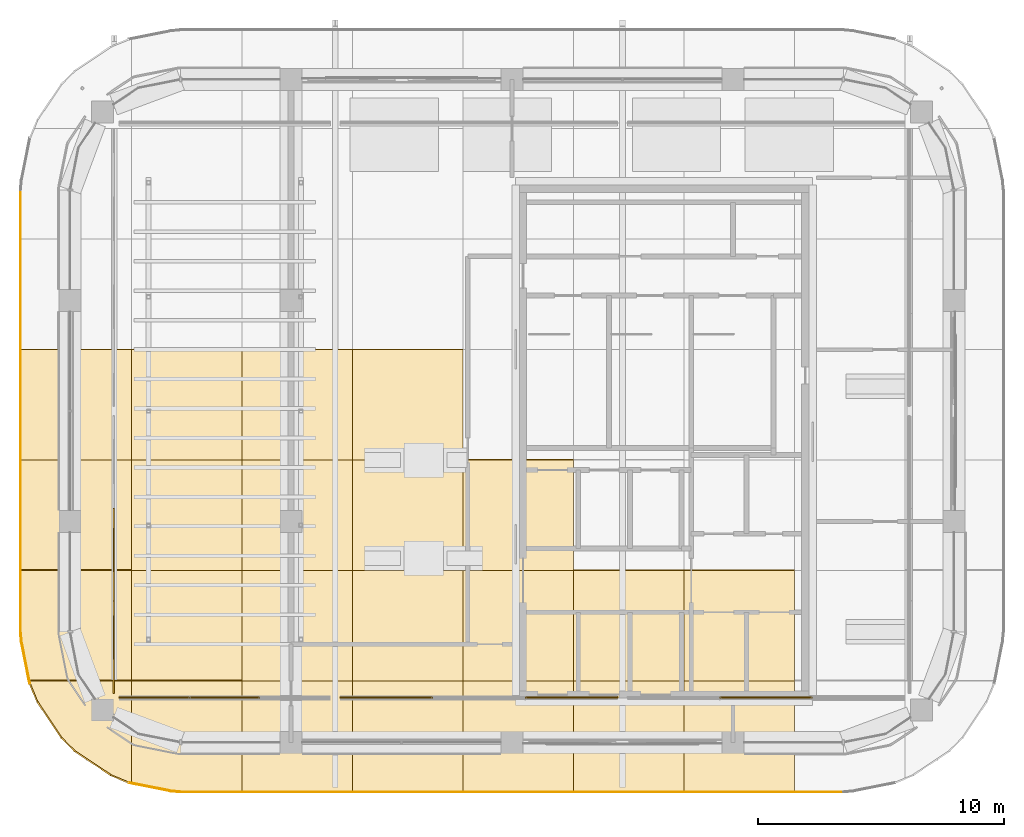
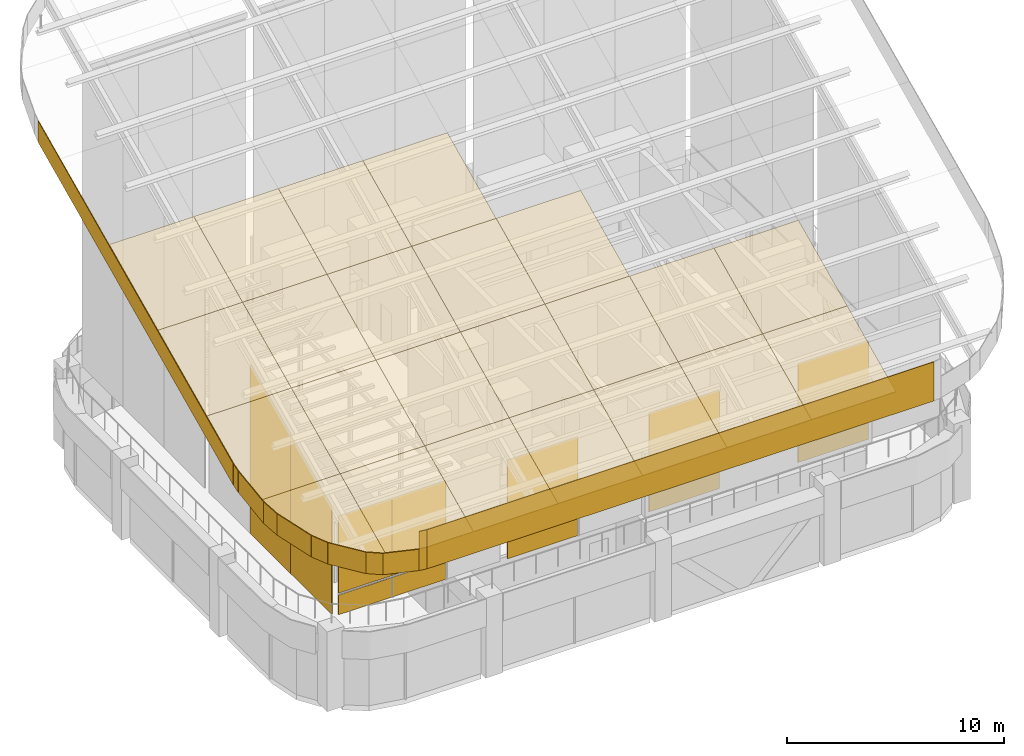
# One storey, part 28 of 31: 46 coverings.
"""IFC4 building model written with IfcOpenShell, lengths in metres."""

from ifc_helpers import new_model, si_unit, direction, frame, origin, place, context, subcontext, project, spatial, polyline, outline, extrude, material, layer, layer_set, type_object, element, save


model = new_model("IFC4")

# Units and contexts
model_context = context("Model", 3, precision=1e-05, world=origin(), true_north=direction((0.0, 1.0)))
body_context = subcontext(model_context, "Body", "Model", "MODEL_VIEW")
ifc_project = project(units=[si_unit("LENGTHUNIT", "METRE"), si_unit("AREAUNIT", "SQUARE_METRE"), si_unit("VOLUMEUNIT", "CUBIC_METRE"), si_unit("PLANEANGLEUNIT", "RADIAN"), si_unit("MASSUNIT", "GRAM", prefix="KILO")], contexts=[model_context])

# Site, building, storey
site_placement = place(None, origin())
site = spatial("IfcSite", under=ifc_project, at=site_placement, CompositionType="ELEMENT")
building_placement = place(site_placement, origin())
building = spatial("IfcBuilding", under=site, at=building_placement, Name="Tessera Arch", CompositionType="ELEMENT")
storey_placement = place(building_placement, frame((0.0, 0.0, 320.699951171875)))
storey = spatial("IfcBuildingStorey", under=building, at=storey_placement, Name="L77", CompositionType="ELEMENT", Elevation=320.699951171875)

# Coverings
ifc_material_1 = material(Name="Aluminium cladding pale metal anodised", Category="aluminium")
ifc_layer_1 = layer(ifc_material_1, 0.0400390625)
ifc_layer_set_1 = layer_set([ifc_layer_1], Name="Canopy fascia pale metal")
covering_type_1 = type_object("IfcCoveringType", Name="Canopy fascia pale metal", PredefinedType="CLADDING", material=ifc_layer_set_1)
covering_1_placement = place(storey_placement, frame((16.0, 49.5, 21.1689453125), z_axis=(1.0, 0.0, 0.0), x_axis=(0.0, -0.906312170564, -0.422608861109)))
element("IfcCovering", 1, at=covering_1_placement, inside=storey, type_object=covering_type_1, Name="CANOPY fascia 21", PredefinedType="CLADDING", context=body_context, shape_type="SweptSolid", body=[
    extrude(outline(polyline([(0.0, 0.0), (19.860706481298273, 0.0), (20.367919655421858, 1.087751618772618), (0.5071099981321051, 1.0875303511528505), (0.0, 0.0)])), origin(), (0.0, 0.0, -1.0), 0.0400390625),
])
covering_2_placement = place(storey_placement, frame((16.0, 31.5, 12.775634765625), z_axis=(0.99520834523, 0.097777040176, 0.0), x_axis=(0.088674118673, -0.902555679234, -0.421343264524)))
element("IfcCovering", 2, at=covering_2_placement, inside=storey, type_object=covering_type_1, Name="CANOPY fascia 22", PredefinedType="CLADDING", context=body_context, shape_type="SweptSolid", body=[
    extrude(outline(polyline([(0.0, 0.0), (0.4322577850055526, 0.0), (0.9378491290323403, 1.0882372019598359), (0.505694211034728, 1.0884586133946192), (0.0, 0.0)])), origin(), (0.0, 0.0, -1.0), 0.0400390625),
])
covering_3_placement = place(storey_placement, frame((16.038330078125, 31.10986328125, 12.593505859375), z_axis=(0.980762070993, 0.195206967348, 0.0), x_axis=(0.177525849176, -0.891928304905, -0.415870739273)))
element("IfcCovering", 3, at=covering_3_placement, inside=storey, type_object=covering_type_1, Name="CANOPY fascia 23", PredefinedType="CLADDING", context=body_context, shape_type="SweptSolid", body=[
    extrude(outline(polyline([(0.0, 0.0), (1.9308367716094998, 0.0), (2.4298613525488233, 1.091264075511752), (0.4990245809393234, 1.0912640755117518), (0.0, 0.0)])), origin(), (0.0, 0.0, -1.0), 0.0400390625),
])
covering_4_placement = place(storey_placement, frame((16.381103515625, 29.3876953125, 11.79052734375), z_axis=(0.923898629088, 0.382637325897, 0.0), x_axis=(0.35141259642, -0.848504821935, -0.395662424587)))
element("IfcCovering", 4, at=covering_4_placement, inside=storey, type_object=covering_type_1, Name="CANOPY fascia 24", PredefinedType="CLADDING", context=body_context, shape_type="SweptSolid", body=[
    extrude(outline(polyline([(0.0, 0.0), (0.8496678474737825, 0.0), (1.324443437523724, 1.1020303779737268), (0.4747755900499415, 1.102030377973727), (0.0, 0.0)])), origin(), (0.0, 0.0, -1.0), 0.0400390625),
])
covering_5_placement = place(storey_placement, frame((16.6796875, 28.666748046875, 11.454345703125), z_axis=(0.831515102434, 0.555502146192, 0.0), x_axis=(0.517919362424, -0.775258519974, -0.3615712395)))
element("IfcCovering", 5, at=covering_5_placement, inside=storey, type_object=covering_type_1, Name="CANOPY fascia 25", PredefinedType="CLADDING", context=body_context, shape_type="SweptSolid", body=[
    extrude(outline(polyline([(0.0, 0.0), (1.8831923801991524, 1.1102230246251565e-16), (2.3170602127531152, 1.1187678574034527), (0.4338678325539627, 1.1187678574034527), (0.0, 0.0)])), origin(), (0.0, 0.0, -1.0), 0.0400390625),
])
covering_6_placement = place(storey_placement, frame((17.655029296875, 27.206787109375, 10.7734375), z_axis=(0.707106781187, 0.707106781187, 0.0), x_axis=(0.671596364002, -0.671596364002, -0.31291635898)))
element("IfcCovering", 6, at=covering_6_placement, inside=storey, type_object=covering_type_1, Name="CANOPY fascia 26", PredefinedType="CLADDING", context=body_context, shape_type="SweptSolid", body=[
    extrude(outline(polyline([(0.0, 0.0), (0.8215616433830917, 0.0), (1.197122390635364, 1.1399223277356607), (0.3754843516568182, 1.139690447685267), (0.0, 0.0)])), origin(), (0.0, 0.0, -1.0), 0.0400390625),
])
covering_7_placement = place(storey_placement, frame((18.206787109375, 26.655029296875, 10.516357421875), z_axis=(0.555502146192, 0.831515102434, 0.0), x_axis=(0.80494515218, -0.537751819893, -0.250771374333)))
element("IfcCovering", 7, at=covering_7_placement, inside=storey, type_object=covering_type_1, Name="CANOPY fascia 27", PredefinedType="CLADDING", context=body_context, shape_type="SweptSolid", body=[
    extrude(outline(polyline([(0.0, 0.0), (1.8137396486540374, -5.551115123125783e-17), (2.1147142766375375, 1.1618446804358862), (0.3009746279835003, 1.161844680435886), (0.0, 0.0)])), origin(), (0.0, 0.0, -1.0), 0.0400390625),
])
covering_8_placement = place(storey_placement, frame((19.666748046875, 25.6796875, 10.0615234375), z_axis=(0.382637325897, 0.923898629088, 0.0), x_axis=(0.909499309313, -0.376673774226, -0.175863225743)))
element("IfcCovering", 8, at=covering_8_placement, inside=storey, type_object=covering_type_1, Name="CANOPY fascia 28", PredefinedType="CLADDING", context=body_context, shape_type="SweptSolid", body=[
    extrude(outline(polyline([(0.0, 0.0), (0.7926858857861844, 0.0), (1.0037131696057522, 1.1812494657640786), (0.21107021917741514, 1.1814898013624031), (0.0, 0.0)])), origin(), (0.0, 0.0, -1.0), 0.0400390625),
])
covering_9_placement = place(storey_placement, frame((20.3876953125, 25.381103515625, 9.922119140625), z_axis=(0.195206967348, 0.980762070993, 0.0), x_axis=(0.976732464869, -0.194404930632, -0.090556142901)))
element("IfcCovering", 9, at=covering_9_placement, inside=storey, type_object=covering_type_1, Name="CANOPY fascia 29", PredefinedType="CLADDING", context=body_context, shape_type="SweptSolid", body=[
    extrude(outline(polyline([(0.0, 0.0), (1.7631931267699572, 2.7755575615628914e-17), (1.8718560765646002, 1.1950209948892583), (0.10866294979464294, 1.1950209948892583), (0.0, 0.0)])), origin(), (0.0, 0.0, -1.0), 0.0400390625),
])
covering_10_placement = place(storey_placement, frame((22.10986328125, 25.038330078125, 10.762451171875), z_axis=(0.097777040176, 0.99520834523, 0.0), x_axis=(0.994181437068, -0.097676148698, -0.045416298439)))
element("IfcCovering", 10, at=covering_10_placement, inside=storey, type_object=covering_type_1, Name="CANOPY fascia 30", PredefinedType="CLADDING", context=body_context, shape_type="SweptSolid", body=[
    extrude(outline(polyline([(0.0, 0.0), (0.39242003944509934, 0.0), (0.4923447663823454, 2.1979250355945923), (0.09991363897375995, 2.1976811468866924), (0.0, 0.0)])), origin(), (0.0, 0.0, -1.0), 0.0400390625),
])
covering_11_placement = place(storey_placement, frame((22.5, 25.0, 10.74462890625), z_axis=(0.0, 1.0, 0.0), x_axis=(1.0, 0.0, 0.0)))
element("IfcCovering", 11, at=covering_11_placement, inside=storey, type_object=covering_type_1, Name="CANOPY fascia 31", PredefinedType="CLADDING", context=body_context, shape_type="SweptSolid", body=[
    extrude(outline(polyline([(0.0, 0.0), (27.0, 0.0), (27.0, 2.2001953125), (0.0, 2.2001953125), (0.0, 0.0)])), origin(), (0.0, 0.0, -1.0), 0.0400390625),
])
ifc_material_2 = material(Name="Aluminium cladding pale metal anodised", Category="aluminium")
ifc_layer_2 = layer(ifc_material_2, 0.080078125)
ifc_layer_set_2 = layer_set([ifc_layer_2], Name="Canopy panel pale metal")
covering_type_2 = type_object("IfcCoveringType", Name="Canopy panel pale metal", PredefinedType="CLADDING", material=ifc_layer_set_2)
covering_12_placement = place(storey_placement, frame((20.5, 25.358642578125, 9.911865234375), z_axis=(-7.04258e-07, -0.422581940109, 0.906324723206), x_axis=(-5e-12, 0.906324723206, 0.422581940109)))
element("IfcCovering", 12, at=covering_12_placement, inside=storey, type_object=covering_type_2, Name="CANOPY panel 1-1", PredefinedType="CLADDING", context=body_context, shape_type="SweptSolid", body=[
    extrude(outline(polyline([(0.0, 0.0), (4.569381553725276, -2.117582368135751e-22), (4.5693815537463465, 4.141357421873973), (4.445518783273112, 4.118896484299953), (3.6500421623838384, 3.8203124999505107), (2.0391039602955, 2.844970703204245), (1.430394815424665, 2.2932128905913776), (0.35421380378895273, 0.8332519531433135), (0.02469001856001812, 0.1123046876394429), (0.0, 0.0)])), origin(), (0.0, 0.0, -1.0), 0.080078125),
])
covering_13_placement = place(storey_placement, frame((16.358642578125, 29.5, 11.8427734375), z_axis=(1.7838617e-05, -0.422618519741, 0.906307666553), x_axis=(0.999999999841, 7.53893e-06, -1.6167276e-05)))
element("IfcCovering", 13, at=covering_13_placement, inside=storey, type_object=covering_type_2, Name="CANOPY panel 1-2", PredefinedType="CLADDING", context=body_context, shape_type="SweptSolid", body=[
    extrude(outline(polyline([(0.0, 0.0), (4.141357421216076, -3.507866182684252e-21), (4.141357421173231, 4.965202414629998), (-0.35864257811078354, 4.965202414629998), (-0.35864258203406874, 2.206859807074006), (-0.3203125006003695, 1.7763048590369144), (0.0, 0.0)])), origin(), (0.0, 0.0, -1.0), 0.080078125),
])
for number, where, z_axis, x_axis, name in (
    (14, (16.0, 34.0, 13.941162109375), (0.0, -0.422618958231, 0.906307462258), (1.0, 0.0, 0.0), "CANOPY panel 1-3"),
    (15, (16.0, 38.5, 16.03955078125), (0.0, -0.422618958231, 0.906307462258), (1.0, 0.0, 0.0), "CANOPY panel 1-4"),
):
    element("IfcCovering", number, at=place(storey_placement, frame(where, z_axis=z_axis, x_axis=x_axis)), inside=storey, type_object=covering_type_2, Name=name, PredefinedType="CLADDING", context=body_context, shape_type="SweptSolid", body=[
        extrude(outline(polyline([(0.0, 0.0), (4.5, 0.0), (4.5, 4.965202414630578), (0.0, 4.965202414630578), (0.0, 0.0)])), origin(), (0.0, 0.0, -1.0), 0.080078125),
    ])
covering_14_placement = place(storey_placement, frame((25.0, 25.0, 9.74462890625), z_axis=(1.391001e-06, -0.422579879551, 0.906325683955), x_axis=(2e-12, 0.906325683956, 0.422579879551)))
element("IfcCovering", 16, at=covering_14_placement, inside=storey, type_object=covering_type_2, Name="CANOPY panel 2-1", PredefinedType="CLADDING", context=body_context, shape_type="SweptSolid", body=[
    extrude(outline(polyline([(0.0, 0.0), (4.965099241099086, -4.235164736271502e-22), (4.965099241090034, 4.499999999995646), (0.39571768730151463, 4.5000000000179226), (0.04227086512805928, 2.8901367186850515), (-5.0292539949854406e-12, 2.499999999997581), (0.0, 0.0)])), origin(), (0.0, 0.0, -1.0), 0.080078125),
])
for number, where, z_axis, x_axis, name in (
    (17, (25.0, 29.5, 11.8427734375), (0.0, -0.422618958231, 0.906307462258), (0.0, 0.906307462258, 0.422618958231), "CANOPY panel 2-2"),
    (18, (25.0, 34.0, 13.941162109375), (0.0, -0.422618958231, 0.906307462258), (0.0, 0.906307462258, 0.422618958231), "CANOPY panel 2-3"),
    (19, (25.0, 38.5, 16.03955078125), (0.0, -0.422618958231, 0.906307462258), (0.0, 0.906307462258, 0.422618958231), "CANOPY panel 2-4"),
):
    element("IfcCovering", number, at=place(storey_placement, frame(where, z_axis=z_axis, x_axis=x_axis)), inside=storey, type_object=covering_type_2, Name=name, PredefinedType="CLADDING", context=body_context, shape_type="SweptSolid", body=[
        extrude(outline(polyline([(0.0, 0.0), (4.965202414630578, 0.0), (4.965202414630578, 4.5), (0.0, 4.5), (0.0, 0.0)])), origin(), (0.0, 0.0, -1.0), 0.080078125),
    ])
covering_15_placement = place(storey_placement, frame((29.5, 25.0, 9.74462890625), z_axis=(0.0, -0.422578568799, 0.906326295101), x_axis=(0.0, 0.906326295101, 0.422578568799)))
element("IfcCovering", 20, at=covering_15_placement, inside=storey, type_object=covering_type_2, Name="CANOPY panel 3-1", PredefinedType="CLADDING", context=body_context, shape_type="SweptSolid", body=[
    extrude(outline(polyline([(0.0, 0.0), (4.965099241104279, 0.0), (4.965099241104279, 4.5), (0.0, 4.5), (0.0, 0.0)])), origin(), (0.0, 0.0, -1.0), 0.080078125),
])
for number, where, z_axis, x_axis, name in (
    (21, (29.5, 29.5, 11.8427734375), (0.0, -0.422618958231, 0.906307462258), (0.0, 0.906307462258, 0.422618958231), "CANOPY panel 3-2"),
    (22, (29.5, 34.0, 13.941162109375), (0.0, -0.422618958231, 0.906307462258), (0.0, 0.906307462258, 0.422618958231), "CANOPY panel 3-3"),
    (23, (29.5, 38.5, 16.03955078125), (0.0, -0.422618958231, 0.906307462258), (0.0, 0.906307462258, 0.422618958231), "CANOPY panel 3-4"),
):
    element("IfcCovering", number, at=place(storey_placement, frame(where, z_axis=z_axis, x_axis=x_axis)), inside=storey, type_object=covering_type_2, Name=name, PredefinedType="CLADDING", context=body_context, shape_type="SweptSolid", body=[
        extrude(outline(polyline([(0.0, 0.0), (4.965202414630578, 0.0), (4.965202414630578, 4.5), (0.0, 4.5), (0.0, 0.0)])), origin(), (0.0, 0.0, -1.0), 0.080078125),
    ])
covering_16_placement = place(storey_placement, frame((34.0, 25.0, 9.74462890625), z_axis=(0.0, -0.422578568799, 0.906326295101), x_axis=(0.0, 0.906326295101, 0.422578568799)))
element("IfcCovering", 24, at=covering_16_placement, inside=storey, type_object=covering_type_2, Name="CANOPY panel 4-1", PredefinedType="CLADDING", context=body_context, shape_type="SweptSolid", body=[
    extrude(outline(polyline([(0.0, 0.0), (4.965099241104279, 0.0), (4.965099241104279, 4.5), (0.0, 4.5), (0.0, 0.0)])), origin(), (0.0, 0.0, -1.0), 0.080078125),
])
for number, where, z_axis, x_axis, name in (
    (25, (34.0, 29.5, 11.8427734375), (0.0, -0.422618958231, 0.906307462258), (0.0, 0.906307462258, 0.422618958231), "CANOPY panel 4-2"),
    (26, (34.0, 34.0, 13.941162109375), (0.0, -0.422618958231, 0.906307462258), (0.0, 0.906307462258, 0.422618958231), "CANOPY panel 4-3"),
    (27, (34.0, 38.5, 16.03955078125), (0.0, -0.422618958231, 0.906307462258), (0.0, 0.906307462258, 0.422618958231), "CANOPY panel 4-4"),
):
    element("IfcCovering", number, at=place(storey_placement, frame(where, z_axis=z_axis, x_axis=x_axis)), inside=storey, type_object=covering_type_2, Name=name, PredefinedType="CLADDING", context=body_context, shape_type="SweptSolid", body=[
        extrude(outline(polyline([(0.0, 0.0), (4.965202414630578, 0.0), (4.965202414630578, 4.5), (0.0, 4.5), (0.0, 0.0)])), origin(), (0.0, 0.0, -1.0), 0.080078125),
    ])
covering_17_placement = place(storey_placement, frame((38.5, 25.0, 9.74462890625), z_axis=(0.0, -0.422578568799, 0.906326295101), x_axis=(0.0, 0.906326295101, 0.422578568799)))
element("IfcCovering", 28, at=covering_17_placement, inside=storey, type_object=covering_type_2, Name="CANOPY panel 5-1", PredefinedType="CLADDING", context=body_context, shape_type="SweptSolid", body=[
    extrude(outline(polyline([(0.0, 0.0), (4.965099241104279, 0.0), (4.965099241104279, 4.5), (0.0, 4.5), (0.0, 0.0)])), origin(), (0.0, 0.0, -1.0), 0.080078125),
])
for number, where, z_axis, x_axis, name in (
    (29, (38.5, 29.5, 11.8427734375), (0.0, -0.422618958231, 0.906307462258), (0.0, 0.906307462258, 0.422618958231), "CANOPY panel 5-2"),
    (30, (38.5, 34.0, 13.941162109375), (0.0, -0.422618958231, 0.906307462258), (0.0, 0.906307462258, 0.422618958231), "CANOPY panel 5-3"),
):
    element("IfcCovering", number, at=place(storey_placement, frame(where, z_axis=z_axis, x_axis=x_axis)), inside=storey, type_object=covering_type_2, Name=name, PredefinedType="CLADDING", context=body_context, shape_type="SweptSolid", body=[
        extrude(outline(polyline([(0.0, 0.0), (4.965202414630578, 0.0), (4.965202414630578, 4.5), (0.0, 4.5), (0.0, 0.0)])), origin(), (0.0, 0.0, -1.0), 0.080078125),
    ])
covering_18_placement = place(storey_placement, frame((43.0, 25.0, 9.74462890625), z_axis=(0.0, -0.422578568799, 0.906326295101), x_axis=(0.0, 0.906326295101, 0.422578568799)))
element("IfcCovering", 31, at=covering_18_placement, inside=storey, type_object=covering_type_2, Name="CANOPY panel 6-1", PredefinedType="CLADDING", context=body_context, shape_type="SweptSolid", body=[
    extrude(outline(polyline([(0.0, 0.0), (4.965099241104279, 0.0), (4.965099241104279, 4.5), (0.0, 4.5), (0.0, 0.0)])), origin(), (0.0, 0.0, -1.0), 0.080078125),
])
covering_19_placement = place(storey_placement, frame((43.0, 29.5, 11.8427734375), z_axis=(0.0, -0.422618958231, 0.906307462258), x_axis=(0.0, 0.906307462258, 0.422618958231)))
element("IfcCovering", 32, at=covering_19_placement, inside=storey, type_object=covering_type_2, Name="CANOPY panel 6-2", PredefinedType="CLADDING", context=body_context, shape_type="SweptSolid", body=[
    extrude(outline(polyline([(0.0, 0.0), (4.965202414630578, 0.0), (4.965202414630578, 4.5), (0.0, 4.5), (0.0, 0.0)])), origin(), (0.0, 0.0, -1.0), 0.080078125),
])
covering_20_placement = place(storey_placement, frame((47.5, 25.0, 9.74462890625), z_axis=(0.0, -0.422578568799, 0.906326295101), x_axis=(0.0, 0.906326295101, 0.422578568799)))
element("IfcCovering", 33, at=covering_20_placement, inside=storey, type_object=covering_type_2, Name="CANOPY panel 7-1", PredefinedType="CLADDING", context=body_context, shape_type="SweptSolid", body=[
    extrude(outline(polyline([(0.0, 0.0), (4.965099241104279, 0.0), (4.965099241104279, 4.5), (0.0, 4.5), (0.0, 0.0)])), origin(), (0.0, 0.0, -1.0), 0.080078125),
])
covering_21_placement = place(storey_placement, frame((47.5, 29.5, 11.8427734375), z_axis=(0.0, -0.422618958231, 0.906307462258), x_axis=(0.0, 0.906307462258, 0.422618958231)))
element("IfcCovering", 34, at=covering_21_placement, inside=storey, type_object=covering_type_2, Name="CANOPY panel 7-2", PredefinedType="CLADDING", context=body_context, shape_type="SweptSolid", body=[
    extrude(outline(polyline([(0.0, 0.0), (4.965202414630578, 0.0), (4.965202414630578, 4.5), (0.0, 4.5), (0.0, 0.0)])), origin(), (0.0, 0.0, -1.0), 0.080078125),
])
ifc_material_3 = material(Name="Aluminium cladding pale metal anodised", Category="aluminium")
ifc_layer_3 = layer(ifc_material_3, 0.050048828125)
ifc_layer_set_3 = layer_set([ifc_layer_3], Name="Crown screen panel pale metal")
covering_type_3 = type_object("IfcCoveringType", Name="Crown screen panel pale metal", PredefinedType="CLADDING", material=ifc_layer_set_3)
covering_22_placement = place(storey_placement, frame((20.0, 28.800048828125, 4.5), z_axis=(0.0, -1.0, 0.0), x_axis=(1.0, 0.0, 0.0)))
element("IfcCovering", 35, at=covering_22_placement, inside=storey, type_object=covering_type_3, Name="CROWN screen S1-1", PredefinedType="CLADDING", context=body_context, shape_type="SweptSolid", body=[
    extrude(outline(polyline([(0.0, 0.0), (2.86669921875, 0.0), (2.86669921875, 1.10009765625), (0.0, 1.10009765625), (0.0, 0.0)])), origin(), (0.0, 0.0, -1.0), 0.050048828125),
])
covering_23_placement = place(storey_placement, frame((20.0, 28.800048828125, 5.714111328125), z_axis=(0.0, -1.0, 0.0), x_axis=(1.0, 0.0, 0.0)))
element("IfcCovering", 36, at=covering_23_placement, inside=storey, type_object=covering_type_3, Name="CROWN screen S1-1 head", PredefinedType="CLADDING", context=body_context, shape_type="SweptSolid", body=[
    extrude(outline(polyline([(0.0, 0.0), (2.86669921875, 0.0), (2.86669921875, 4.341796875), (0.0, 4.341796875), (0.0, 0.0)])), origin(), (0.0, 0.0, -1.0), 0.050048828125),
])
covering_24_placement = place(storey_placement, frame((22.86669921875, 28.800048828125, 4.5), z_axis=(0.0, -1.0, 0.0), x_axis=(1.0, 0.0, 0.0)))
element("IfcCovering", 37, at=covering_24_placement, inside=storey, type_object=covering_type_3, Name="CROWN screen S1-2", PredefinedType="CLADDING", context=body_context, shape_type="SweptSolid", body=[
    extrude(outline(polyline([(0.0, 0.0), (2.86669921875, 0.0), (2.86669921875, 1.10009765625), (0.0, 1.10009765625), (0.0, 0.0)])), origin(), (0.0, 0.0, -1.0), 0.050048828125),
])
covering_25_placement = place(storey_placement, frame((22.86669921875, 28.800048828125, 5.714111328125), z_axis=(0.0, -1.0, 0.0), x_axis=(1.0, 0.0, 0.0)))
element("IfcCovering", 38, at=covering_25_placement, inside=storey, type_object=covering_type_3, Name="CROWN screen S1-2 head", PredefinedType="CLADDING", context=body_context, shape_type="SweptSolid", body=[
    extrude(outline(polyline([(0.0, 0.0), (2.86669921875, 0.0), (2.86669921875, 4.341796875), (0.0, 4.341796875), (0.0, 0.0)])), origin(), (0.0, 0.0, -1.0), 0.050048828125),
])
covering_26_placement = place(storey_placement, frame((29.0, 28.800048828125, 4.5), z_axis=(0.0, -1.0, 0.0), x_axis=(1.0, 0.0, 0.0)))
element("IfcCovering", 39, at=covering_26_placement, inside=storey, type_object=covering_type_3, Name="CROWN screen S2-1", PredefinedType="CLADDING", context=body_context, shape_type="SweptSolid", body=[
    extrude(outline(polyline([(0.0, 0.0), (3.7666015625, 0.0), (3.7666015625, 1.10009765625), (0.0, 1.10009765625), (0.0, 0.0)])), origin(), (0.0, 0.0, -1.0), 0.050048828125),
])
covering_27_placement = place(storey_placement, frame((29.0, 28.800048828125, 5.714111328125), z_axis=(0.0, -1.0, 0.0), x_axis=(1.0, 0.0, 0.0)))
element("IfcCovering", 40, at=covering_27_placement, inside=storey, type_object=covering_type_3, Name="CROWN screen S2-1 head", PredefinedType="CLADDING", context=body_context, shape_type="SweptSolid", body=[
    extrude(outline(polyline([(0.0, 0.0), (3.7666015625, 0.0), (3.7666015625, 4.341796875), (0.0, 4.341796875), (0.0, 0.0)])), origin(), (0.0, 0.0, -1.0), 0.050048828125),
])
covering_28_placement = place(storey_placement, frame((36.533203125, 28.800048828125, 4.5), z_axis=(0.0, -1.0, 0.0), x_axis=(1.0, 0.0, 0.0)))
element("IfcCovering", 41, at=covering_28_placement, inside=storey, type_object=covering_type_3, Name="CROWN screen S2-3", PredefinedType="CLADDING", context=body_context, shape_type="SweptSolid", body=[
    extrude(outline(polyline([(0.0, 0.0), (3.766845703125, 0.0), (3.766845703125, 1.10009765625), (0.0, 1.10009765625), (0.0, 0.0)])), origin(), (0.0, 0.0, -1.0), 0.050048828125),
])
covering_29_placement = place(storey_placement, frame((36.533203125, 28.800048828125, 5.714111328125), z_axis=(0.0, -1.0, 0.0), x_axis=(1.0, 0.0, 0.0)))
element("IfcCovering", 42, at=covering_29_placement, inside=storey, type_object=covering_type_3, Name="CROWN screen S2-3 head", PredefinedType="CLADDING", context=body_context, shape_type="SweptSolid", body=[
    extrude(outline(polyline([(0.0, 0.0), (3.766845703125, 0.0), (3.766845703125, 4.341796875), (0.0, 4.341796875), (0.0, 0.0)])), origin(), (0.0, 0.0, -1.0), 0.050048828125),
])
covering_30_placement = place(storey_placement, frame((44.466796875, 28.800048828125, 4.5), z_axis=(0.0, -1.0, 0.0), x_axis=(1.0, 0.0, 0.0)))
element("IfcCovering", 43, at=covering_30_placement, inside=storey, type_object=covering_type_3, Name="CROWN screen S3-2", PredefinedType="CLADDING", context=body_context, shape_type="SweptSolid", body=[
    extrude(outline(polyline([(0.0, 0.0), (3.7666015625, 0.0), (3.7666015625, 1.10009765625), (0.0, 1.10009765625), (0.0, 0.0)])), origin(), (0.0, 0.0, -1.0), 0.050048828125),
])
covering_31_placement = place(storey_placement, frame((44.466796875, 28.800048828125, 5.714111328125), z_axis=(0.0, -1.0, 0.0), x_axis=(1.0, 0.0, 0.0)))
element("IfcCovering", 44, at=covering_31_placement, inside=storey, type_object=covering_type_3, Name="CROWN screen S3-2 head", PredefinedType="CLADDING", context=body_context, shape_type="SweptSolid", body=[
    extrude(outline(polyline([(0.0, 0.0), (3.7666015625, 0.0), (3.7666015625, 4.341796875), (0.0, 4.341796875), (0.0, 0.0)])), origin(), (0.0, 0.0, -1.0), 0.050048828125),
])
covering_32_placement = place(storey_placement, frame((19.800048828125, 29.0, 4.5), z_axis=(1.0, 0.0, 0.0), x_axis=(0.0, 1.0, 0.0)))
element("IfcCovering", 45, at=covering_32_placement, inside=storey, type_object=covering_type_3, Name="CROWN screen W7-1", PredefinedType="CLADDING", context=body_context, shape_type="SweptSolid", body=[
    extrude(outline(polyline([(0.0, 0.0), (3.7666015625, 0.0), (3.7666015625, 7.7568359375), (0.0, 6.00048828125), (0.0, 0.0)])), origin(), (0.0, 0.0, -1.0), 0.050048828125),
])
covering_33_placement = place(storey_placement, frame((19.800048828125, 32.7666015625, 4.5), z_axis=(1.0, 0.0, 0.0), x_axis=(0.0, 1.0, 0.0)))
element("IfcCovering", 46, at=covering_33_placement, inside=storey, type_object=covering_type_3, Name="CROWN screen W7-2", PredefinedType="CLADDING", context=body_context, shape_type="SweptSolid", body=[
    extrude(outline(polyline([(0.0, 0.0), (3.7666015625, 0.0), (3.7666015625, 9.513427734375), (0.0, 7.7568359375), (0.0, 0.0)])), origin(), (0.0, 0.0, -1.0), 0.050048828125),
])

save(model, "model.ifc")
